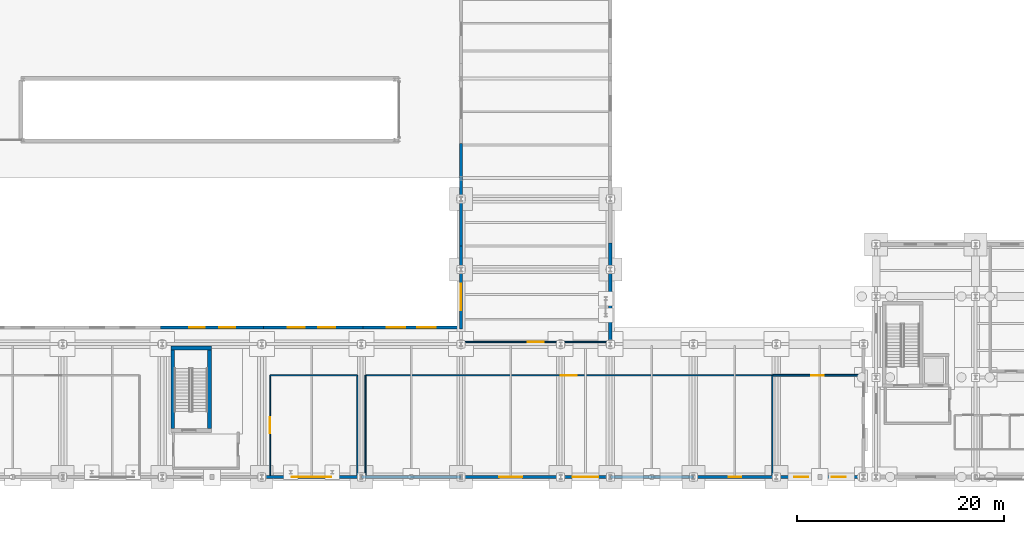
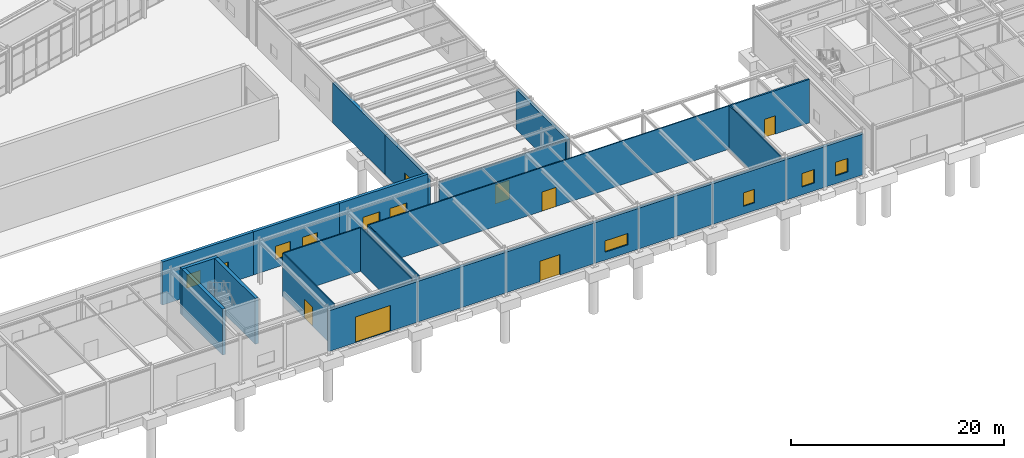
# One storey, part 87 of 109: 24 walls, 11 windows, 6 doors, 17 openings.
"""IFC4 building model written with IfcOpenShell, lengths in metres."""

from ifc_helpers import new_model, si_unit, direction, frame, frame_2d, origin, place, context, subcontext, project, spatial, rectangle, extrude, material, layer, layer_set, type_object, element, fill, save


model = new_model("IFC4")

# Units and contexts
model_context = context("Model", 3, precision=1e-05, world=origin(), true_north=direction((0.0, 1.0)))
body_context = subcontext(model_context, "Body", "Model", "MODEL_VIEW")
ifc_project = project(units=[si_unit("LENGTHUNIT", "METRE"), si_unit("AREAUNIT", "SQUARE_METRE"), si_unit("VOLUMEUNIT", "CUBIC_METRE"), si_unit("PLANEANGLEUNIT", "RADIAN"), si_unit("MASSUNIT", "GRAM", prefix="KILO")], contexts=[model_context])

# Site, building, storey
site_placement = place(None, origin())
site = spatial("IfcSite", under=ifc_project, at=site_placement, CompositionType="ELEMENT")
building_placement = place(site_placement, origin())
building = spatial("IfcBuilding", under=site, at=building_placement, Name="Nordkorset Police Headquarters", CompositionType="ELEMENT")
storey_placement = place(building_placement, origin())
storey = spatial("IfcBuildingStorey", under=building, at=storey_placement, Name="L00", CompositionType="ELEMENT", Elevation=0.0)

# Wall, opening, door
ifc_material_1 = material(Name="Gypsum board", Category="gypsum")
ifc_layer_1 = layer(ifc_material_1, 0.179931640625, Name="Gypsum board")
ifc_layer_set_1 = layer_set([ifc_layer_1], Name="Gypsum board")
wall_type_1 = type_object("IfcWallType", Name="Wall_Comp_180", PredefinedType="PARTITIONING", material=ifc_layer_set_1)
wall_1_placement = place(storey_placement, frame((125.044921875, 9.800048828125, 0.0), z_axis=(0.0, 0.0, 1.0), x_axis=(-1.0, 0.0, 0.0)))
wall_1 = element("IfcWall", 1, at=wall_1_placement, inside=storey, type_object=wall_type_1, Name="Interior Partition Wall Central Refuse and Secure Shredding Room", PredefinedType="PARTITIONING", context=body_context, shape_type="SweptSolid", body=[
    extrude(rectangle(XDim=8.58984375, YDim=0.179931640625, at=frame_2d((4.294921875, 0.0))), origin(), (0.0, 0.0, 1.0), 5.0),
])
opening_1_placement = place(wall_1_placement, frame((3.68505859375, 0.0, 0.0)))
opening_1 = element("IfcOpeningElement", 2, at=opening_1_placement, cuts=wall_1, Name="Opening DR-13", PredefinedType="OPENING", context=body_context, shape_type="SweptSolid", body=[
    extrude(rectangle(XDim=1.219970703125, YDim=2.10009765625, at=frame_2d((0.60986328125, 1.050048828125))), frame((0.0, 0.10009765625, 0.0), z_axis=(0.0, -1.0, 0.0), x_axis=(1.0, 0.0, 0.0)), (0.0, 0.0, 1.0), 0.199951171875),
])
ifc_material_2 = material(Name="Steel S355J2", Category="steel")
door_type_1 = type_object("IfcDoorType", Name="Door_FireComp_1220x2100", OperationType="NOTDEFINED", PredefinedType="DOOR", material=ifc_material_2)
door_1_placement = place(opening_1_placement, origin())
door_1 = element("IfcDoor", 3, at=door_1_placement, inside=storey, type_object=door_type_1, Name="Interior Door Central Refuse and Secure Shredding Room", OperationType="SINGLE_SWING_RIGHT", OverallHeight=2.10009765625, OverallWidth=1.219970703125, PredefinedType="DOOR", context=body_context, shape_type="SweptSolid", body=[
    extrude(rectangle(XDim=1.219970703125, YDim=2.10009765625, at=frame_2d((0.60986328125, 1.050048828125))), frame((0.0, 0.02490234375, 0.0), z_axis=(0.0, -1.0, 0.0), x_axis=(1.0, 0.0, 0.0)), (0.0, 0.0, 1.0), 0.050048828125),
])
fill(opening_1, door_1)

# Walls
ifc_material_3 = material(Name="Concrete C35/45", Category="concrete")
ifc_layer_2 = layer(ifc_material_3, 0.35009765625, Name="Concrete C35/45")
ifc_layer_set_2 = layer_set([ifc_layer_2], Name="Concrete C35/45")
wall_type_2 = type_object("IfcWallType", Name="Wall_CoreShear_350", PredefinedType="SHEAR", material=ifc_layer_set_2)
wall_2_placement = place(storey_placement, frame((58.425048828125, 12.429931640625, -0.27001953125), z_axis=(0.0, 0.0, 1.0), x_axis=(1.0, 0.0, 0.0)))
element("IfcWall", 4, at=wall_2_placement, inside=storey, type_object=wall_type_2, Name="Core K9 Stair Shaft North Shear Wall L00", PredefinedType="SHEAR", context=body_context, shape_type="SweptSolid", body=[
    extrude(rectangle(XDim=3.89990234375, YDim=0.35009765625, at=frame_2d((1.949951171875, 0.0))), origin(), (0.0, 0.0, 1.0), 5.27001953125),
])
for number, where, z_axis, x_axis, name in (
    (5, (58.60009765625, 4.655029296875, -0.27001953125), (0.0, 0.0, 1.0), (0.0, 1.0, 0.0), "Core K9 Stair Shaft West Shear Wall L00"),
    (6, (62.14990234375, 4.655029296875, -0.27001953125), (0.0, 0.0, 1.0), (0.0, 1.0, 0.0), "Core K9 Stair Shaft East Shear Wall L00"),
):
    element("IfcWall", number, at=place(storey_placement, frame(where, z_axis=z_axis, x_axis=x_axis)), inside=storey, type_object=wall_type_2, Name=name, PredefinedType="SHEAR", context=body_context, shape_type="SweptSolid", body=[
        extrude(rectangle(XDim=7.599853515625, YDim=0.35009765625, at=frame_2d((3.7998046875, 0.0))), origin(), (0.0, 0.0, 1.0), 5.27001953125),
    ])

# Wall, opening, door
ifc_material_4 = material(Name="Precast concrete C40/50", Category="concrete")
ifc_layer_3 = layer(ifc_material_4, 0.320068359375, Name="Precast concrete C40/50")
ifc_layer_set_3 = layer_set([ifc_layer_3], Name="Precast concrete C40/50")
wall_type_3 = type_object("IfcWallType", Name="Wall_ExtPlinth_320", PredefinedType="SOLIDWALL", material=ifc_layer_set_3)
wall_3_placement = place(storey_placement, frame((67.208740234375, 0.0, 0.0), z_axis=(0.0, 0.0, 1.0), x_axis=(1.0, 0.0, 0.0)))
wall_3 = element("IfcWall", 7, at=wall_3_placement, inside=storey, type_object=wall_type_3, Name="Exterior Insulated Precast Wall L00 V7S-VG05", PredefinedType="SOLIDWALL", context=body_context, shape_type="SweptSolid", body=[
    extrude(rectangle(XDim=9.58251953125, YDim=0.320068359375, at=frame_2d((4.791259765625, 0.0))), origin(), (0.0, 0.0, 1.0), 4.669921875),
])
opening_2_placement = place(wall_3_placement, frame((2.891357421875, 0.0, 0.0)))
opening_2 = element("IfcOpeningElement", 8, at=opening_2_placement, cuts=wall_3, Name="Opening VG-05", PredefinedType="OPENING", context=body_context, shape_type="SweptSolid", body=[
    extrude(rectangle(XDim=3.800048828125, YDim=2.949951171875, at=frame_2d((1.89990234375, 1.47509765625))), frame((0.0, 0.169921875, 0.0), z_axis=(0.0, -1.0, 0.0), x_axis=(1.0, 0.0, 0.0)), (0.0, 0.0, 1.0), 0.340087890625),
])
ifc_material_5 = material(Name="Steel S355J2", Category="steel")
door_type_2 = type_object("IfcDoorType", Name="Shutter_Loading_3800x2950", OperationType="ROLLINGUP", PredefinedType="USERDEFINED", material=ifc_material_5)
door_2_placement = place(opening_2_placement, frame((3.800048828125, 0.0, 0.0), z_axis=(0.0, 0.0, 1.0), x_axis=(-1.0, 0.0, 0.0)))
door_2 = element("IfcDoor", 9, at=door_2_placement, inside=storey, type_object=door_type_2, Name="Logistics Loading Bay Roller Shutter VG-05", ObjectType="ROLLER SHUTTER", OperationType="SINGLE_SWING_LEFT", OverallHeight=2.949951171875, OverallWidth=3.800048828125, PredefinedType="USERDEFINED", context=body_context, shape_type="SweptSolid", body=[
    extrude(rectangle(XDim=3.800048828125, YDim=2.949951171875, at=frame_2d((1.89990234375, 1.47509765625))), frame((0.0, 0.02490234375, 0.0), z_axis=(0.0, -1.0, 0.0), x_axis=(1.0, 0.0, 0.0)), (0.0, 0.0, 1.0), 0.050048828125),
])
fill(opening_2, door_2)

# Wall
wall_4_placement = place(storey_placement, frame((76.808837890625, 0.0, 0.0), z_axis=(0.0, 0.0, 1.0), x_axis=(1.0, 0.0, 0.0)))
element("IfcWall", 10, at=wall_4_placement, inside=storey, type_object=wall_type_3, Name="Exterior Insulated Precast Wall L00 V7S-8", PredefinedType="SOLIDWALL", context=body_context, shape_type="SweptSolid", body=[
    extrude(rectangle(XDim=9.58251953125, YDim=0.320068359375, at=frame_2d((4.791259765625, 0.0))), origin(), (0.0, 0.0, 1.0), 4.669921875),
])

# Wall, opening, door
wall_5_placement = place(storey_placement, frame((86.40869140625, 0.0, 0.0), z_axis=(0.0, 0.0, 1.0), x_axis=(1.0, 0.0, 0.0)))
wall_5 = element("IfcWall", 11, at=wall_5_placement, inside=storey, type_object=wall_type_3, Name="Exterior Insulated Precast Wall L00 V7S-ED12", PredefinedType="SOLIDWALL", context=body_context, shape_type="SweptSolid", body=[
    extrude(rectangle(XDim=9.58251953125, YDim=0.320068359375, at=frame_2d((4.791259765625, 0.0))), origin(), (0.0, 0.0, 1.0), 4.669921875),
])
opening_3_placement = place(wall_5_placement, frame((3.69140625, 0.0, 0.0)))
opening_3 = element("IfcOpeningElement", 12, at=opening_3_placement, cuts=wall_5, Name="Opening ED-12", PredefinedType="OPENING", context=body_context, shape_type="SweptSolid", body=[
    extrude(rectangle(XDim=2.199951171875, YDim=2.35009765625, at=frame_2d((1.10009765625, 1.175048828125))), frame((0.0, 0.169921875, 0.0), z_axis=(0.0, -1.0, 0.0), x_axis=(1.0, 0.0, 0.0)), (0.0, 0.0, 1.0), 0.340087890625),
])
ifc_material_6 = material(Name="Aluminium alloy AW-6060", Category="aluminium")
door_type_3 = type_object("IfcDoorType", Name="ExtDoor_CivicExit_2200x2350", OperationType="DOUBLE_DOOR_SINGLE_SWING", PredefinedType="DOOR", material=ifc_material_6)
door_3_placement = place(opening_3_placement, frame((2.199951171875, 0.0, 0.0), z_axis=(0.0, 0.0, 1.0), x_axis=(-1.0, 0.0, 0.0)))
door_3 = element("IfcDoor", 13, at=door_3_placement, inside=storey, type_object=door_type_3, Name="Logistics Plinth Central Final Exit Door ED-12", OperationType="SINGLE_SWING_LEFT", OverallHeight=2.35009765625, OverallWidth=2.199951171875, PredefinedType="DOOR", context=body_context, shape_type="SweptSolid", body=[
    extrude(rectangle(XDim=2.199951171875, YDim=2.35009765625, at=frame_2d((1.10009765625, 1.175048828125))), frame((0.0, 0.02490234375, 0.0), z_axis=(0.0, -1.0, 0.0), x_axis=(1.0, 0.0, 0.0)), (0.0, 0.0, 1.0), 0.050048828125),
])
fill(opening_3, door_3)

# Wall, opening, window
wall_6_placement = place(storey_placement, frame((96.0087890625, 0.0, 0.0), z_axis=(0.0, 0.0, 1.0), x_axis=(1.0, 0.0, 0.0)))
wall_6 = element("IfcWall", 14, at=wall_6_placement, inside=storey, type_object=wall_type_3, Name="Exterior Insulated Precast Wall L00 V7S-10", PredefinedType="SOLIDWALL", context=body_context, shape_type="SweptSolid", body=[
    extrude(rectangle(XDim=4.782470703125, YDim=0.320068359375, at=frame_2d((2.39111328125, 0.0))), origin(), (0.0, 0.0, 1.0), 4.669921875),
])
opening_4_placement = place(wall_6_placement, frame((1.166259765625, 0.0, 0.89990234375)))
opening_4 = element("IfcOpeningElement", 15, at=opening_4_placement, cuts=wall_6, Name="Opening WN-46", PredefinedType="OPENING", context=body_context, shape_type="SweptSolid", body=[
    extrude(rectangle(XDim=2.449951171875, YDim=1.300048828125, at=frame_2d((1.22509765625, 0.64990234375))), frame((0.0, 0.169921875, 0.0), z_axis=(0.0, -1.0, 0.0), x_axis=(1.0, 0.0, 0.0)), (0.0, 0.0, 1.0), 0.340087890625),
])
ifc_material_7 = material(Name="Low-iron triple glazing", Category="glass")
window_type_1 = type_object("IfcWindowType", Name="Win_2450x1300", PartitioningType="SINGLE_PANEL", PredefinedType="WINDOW", material=ifc_material_7)
window_1_placement = place(opening_4_placement, origin())
window_1 = element("IfcWindow", 16, at=window_1_placement, inside=storey, type_object=window_type_1, Name="Triple-Glazed Exterior Window L00 V7S-10-1", OverallHeight=1.300048828125, OverallWidth=2.449951171875, PartitioningType="SINGLE_PANEL", PredefinedType="WINDOW", context=body_context, shape_type="SweptSolid", body=[
    extrude(rectangle(XDim=2.449951171875, YDim=1.300048828125, at=frame_2d((1.22509765625, 0.64990234375))), frame((0.0, 0.030029296875, 0.0), z_axis=(0.0, -1.0, 0.0), x_axis=(1.0, 0.0, 0.0)), (0.0, 0.0, 1.0), 0.06005859375),
])
fill(opening_4, window_1)

# Wall
wall_7_placement = place(storey_placement, frame((100.808837890625, 0.0, 0.0), z_axis=(0.0, 0.0, 1.0), x_axis=(1.0, 0.0, 0.0)))
element("IfcWall", 17, at=wall_7_placement, inside=storey, type_object=wall_type_3, Name="Exterior Insulated Precast Wall L00 V7S-11", PredefinedType="SOLIDWALL", context=body_context, shape_type="SweptSolid", body=[
    extrude(rectangle(XDim=7.982421875, YDim=0.320068359375, at=frame_2d((3.9912109375, 0.0))), origin(), (0.0, 0.0, 1.0), 4.669921875),
])

# Wall, opening, window
wall_8_placement = place(storey_placement, frame((108.808837890625, 0.0, 0.0), z_axis=(0.0, 0.0, 1.0), x_axis=(1.0, 0.0, 0.0)))
wall_8 = element("IfcWall", 18, at=wall_8_placement, inside=storey, type_object=wall_type_3, Name="Exterior Insulated Precast Wall L00 V7S-12", PredefinedType="SOLIDWALL", context=body_context, shape_type="SweptSolid", body=[
    extrude(rectangle(XDim=7.982421875, YDim=0.320068359375, at=frame_2d((3.9912109375, 0.0))), origin(), (0.0, 0.0, 1.0), 4.669921875),
])
opening_5_placement = place(wall_8_placement, frame((3.391357421875, 0.0, 0.89990234375)))
opening_5 = element("IfcOpeningElement", 19, at=opening_5_placement, cuts=wall_8, Name="Opening WN-45", PredefinedType="OPENING", context=body_context, shape_type="SweptSolid", body=[
    extrude(rectangle(XDim=1.199951171875, YDim=1.550048828125, at=frame_2d((0.60009765625, 0.77490234375))), frame((0.0, 0.169921875, 0.0), z_axis=(0.0, -1.0, 0.0), x_axis=(1.0, 0.0, 0.0)), (0.0, 0.0, 1.0), 0.340087890625),
])
ifc_material_8 = material(Name="Low-iron triple glazing", Category="glass")
window_type_2 = type_object("IfcWindowType", Name="Win_1200x1550", PartitioningType="SINGLE_PANEL", PredefinedType="WINDOW", material=ifc_material_8)
window_2_placement = place(opening_5_placement, origin())
window_2 = element("IfcWindow", 20, at=window_2_placement, inside=storey, type_object=window_type_2, Name="Triple-Glazed Exterior Window L00 V7S-12-1", OverallHeight=1.550048828125, OverallWidth=1.199951171875, PartitioningType="SINGLE_PANEL", PredefinedType="WINDOW", context=body_context, shape_type="SweptSolid", body=[
    extrude(rectangle(XDim=1.199951171875, YDim=1.550048828125, at=frame_2d((0.60009765625, 0.77490234375))), frame((0.0, 0.030029296875, 0.0), z_axis=(0.0, -1.0, 0.0), x_axis=(1.0, 0.0, 0.0)), (0.0, 0.0, 1.0), 0.06005859375),
])
fill(opening_5, window_2)

# Wall, openings, windows
wall_9_placement = place(storey_placement, frame((116.808837890625, 0.0, 0.0), z_axis=(0.0, 0.0, 1.0), x_axis=(1.0, 0.0, 0.0)))
wall_9 = element("IfcWall", 21, at=wall_9_placement, inside=storey, type_object=wall_type_3, Name="Exterior Insulated Precast Wall L00 V7S-13", PredefinedType="SOLIDWALL", context=body_context, shape_type="SweptSolid", body=[
    extrude(rectangle(XDim=8.38232421875, YDim=0.320068359375, at=frame_2d((4.191162109375, 0.0))), origin(), (0.0, 0.0, 1.0), 4.669921875),
])
opening_6_placement = place(wall_9_placement, frame((1.69970703125, 0.0, 0.89990234375)))
opening_6 = element("IfcOpeningElement", 22, at=opening_6_placement, cuts=wall_9, Name="Opening WN-22", PredefinedType="OPENING", context=body_context, shape_type="SweptSolid", body=[
    extrude(rectangle(XDim=1.35009765625, YDim=1.550048828125, at=frame_2d((0.675048828125, 0.77490234375))), frame((0.0, 0.169921875, 0.0), z_axis=(0.0, -1.0, 0.0), x_axis=(1.0, 0.0, 0.0)), (0.0, 0.0, 1.0), 0.340087890625),
])
opening_7_placement = place(wall_9_placement, frame((5.3330078125, 0.0, 0.89990234375)))
opening_7 = element("IfcOpeningElement", 23, at=opening_7_placement, cuts=wall_9, Name="Opening WN-22", PredefinedType="OPENING", context=body_context, shape_type="SweptSolid", body=[
    extrude(rectangle(XDim=1.35009765625, YDim=1.550048828125, at=frame_2d((0.675048828125, 0.77490234375))), frame((0.0, 0.169921875, 0.0), z_axis=(0.0, -1.0, 0.0), x_axis=(1.0, 0.0, 0.0)), (0.0, 0.0, 1.0), 0.340087890625),
])
ifc_material_9 = material(Name="Low-iron triple glazing", Category="glass")
window_type_3 = type_object("IfcWindowType", Name="Win_1350x1550", PartitioningType="SINGLE_PANEL", PredefinedType="WINDOW", material=ifc_material_9)
window_3_placement = place(opening_6_placement, origin())
window_3 = element("IfcWindow", 24, at=window_3_placement, inside=storey, type_object=window_type_3, Name="Triple-Glazed Exterior Window L00 V7S-13-1", OverallHeight=1.550048828125, OverallWidth=1.35009765625, PartitioningType="SINGLE_PANEL", PredefinedType="WINDOW", context=body_context, shape_type="SweptSolid", body=[
    extrude(rectangle(XDim=1.35009765625, YDim=1.550048828125, at=frame_2d((0.675048828125, 0.77490234375))), frame((0.0, 0.030029296875, 0.0), z_axis=(0.0, -1.0, 0.0), x_axis=(1.0, 0.0, 0.0)), (0.0, 0.0, 1.0), 0.06005859375),
])
fill(opening_6, window_3)
window_4_placement = place(opening_7_placement, origin())
window_4 = element("IfcWindow", 25, at=window_4_placement, inside=storey, type_object=window_type_3, Name="Triple-Glazed Exterior Window L00 V7S-13-2", OverallHeight=1.550048828125, OverallWidth=1.35009765625, PartitioningType="SINGLE_PANEL", PredefinedType="WINDOW", context=body_context, shape_type="SweptSolid", body=[
    extrude(rectangle(XDim=1.35009765625, YDim=1.550048828125, at=frame_2d((0.675048828125, 0.77490234375))), frame((0.0, 0.030029296875, 0.0), z_axis=(0.0, -1.0, 0.0), x_axis=(1.0, 0.0, 0.0)), (0.0, 0.0, 1.0), 0.06005859375),
])
fill(opening_7, window_4)

# Wall, opening, window
wall_10_placement = place(storey_placement, frame((86.39990234375, 14.239990234375, 0.0), z_axis=(0.0, 0.0, 1.0), x_axis=(0.0, 1.0, 0.0)))
wall_10 = element("IfcWall", 26, at=wall_10_placement, inside=storey, type_object=wall_type_3, Name="Exterior Insulated Precast Wall L00 V7E-IN-0", PredefinedType="SOLIDWALL", context=body_context, shape_type="SweptSolid", body=[
    extrude(rectangle(XDim=8.320068359375, YDim=0.320068359375, at=frame_2d((4.16015625, 0.0))), origin(), (0.0, 0.0, 1.0), 4.590087890625),
])
opening_8_placement = place(wall_10_placement, frame((1.8349609375, 0.0, 0.89990234375)))
opening_8 = element("IfcOpeningElement", 27, at=opening_8_placement, cuts=wall_10, Name="Opening WN-06", PredefinedType="OPENING", context=body_context, shape_type="SweptSolid", body=[
    extrude(rectangle(XDim=2.550048828125, YDim=1.550048828125, at=frame_2d((1.27490234375, 0.77490234375))), frame((0.0, 0.169921875, 0.0), z_axis=(0.0, -1.0, 0.0), x_axis=(1.0, 0.0, 0.0)), (0.0, 0.0, 1.0), 0.340087890625),
])
ifc_material_10 = material(Name="Low-iron triple glazing", Category="glass")
window_type_4 = type_object("IfcWindowType", Name="Win_2550x1550", PartitioningType="SINGLE_PANEL", PredefinedType="WINDOW", material=ifc_material_10)
window_5_placement = place(opening_8_placement, origin())
window_5 = element("IfcWindow", 28, at=window_5_placement, inside=storey, type_object=window_type_4, Name="Triple-Glazed Exterior Window L00 V7E-IN-0-1", OverallHeight=1.550048828125, OverallWidth=2.550048828125, PartitioningType="SINGLE_PANEL", PredefinedType="WINDOW", context=body_context, shape_type="SweptSolid", body=[
    extrude(rectangle(XDim=2.550048828125, YDim=1.550048828125, at=frame_2d((1.27490234375, 0.77490234375))), frame((0.0, 0.030029296875, 0.0), z_axis=(0.0, -1.0, 0.0), x_axis=(1.0, 0.0, 0.0)), (0.0, 0.0, 1.0), 0.06005859375),
])
fill(opening_8, window_5)

# Wall
wall_11_placement = place(storey_placement, frame((86.39990234375, 22.239990234375, 0.0), z_axis=(0.0, 0.0, 1.0), x_axis=(0.0, 1.0, 0.0)))
element("IfcWall", 29, at=wall_11_placement, inside=storey, type_object=wall_type_3, Name="Exterior Insulated Precast Wall L00 V7E-IN-1", PredefinedType="SOLIDWALL", context=body_context, shape_type="SweptSolid", body=[
    extrude(rectangle(XDim=9.919921875, YDim=0.320068359375, at=frame_2d((4.9599609375, 0.0))), origin(), (0.0, 0.0, 1.0), 4.590087890625),
])

# Wall, openings, windows
wall_12_placement = place(storey_placement, frame((57.43994140625, 14.39990234375, 0.0), z_axis=(0.0, 0.0, 1.0), x_axis=(1.0, 0.0, 0.0)))
wall_12 = element("IfcWall", 30, at=wall_12_placement, inside=storey, type_object=wall_type_3, Name="Exterior Insulated Precast Wall L00 V7N-6", PredefinedType="SOLIDWALL", context=body_context, shape_type="SweptSolid", body=[
    extrude(rectangle(XDim=9.920166015625, YDim=0.320068359375, at=frame_2d((4.9599609375, 0.0))), origin(), (0.0, 0.0, 1.0), 4.949951171875),
])
opening_9_placement = place(wall_12_placement, frame((2.743408203125, 0.0, 0.89990234375)))
opening_9 = element("IfcOpeningElement", 31, at=opening_9_placement, cuts=wall_12, Name="Opening WN-50", PredefinedType="OPENING", context=body_context, shape_type="SweptSolid", body=[
    extrude(rectangle(XDim=1.5, YDim=1.550048828125, at=frame_2d((0.75, 0.77490234375))), frame((0.0, 0.169921875, 0.0), z_axis=(0.0, -1.0, 0.0), x_axis=(1.0, 0.0, 0.0)), (0.0, 0.0, 1.0), 0.340087890625),
])
opening_10_placement = place(wall_12_placement, frame((5.6767578125, 0.0, 0.89990234375)))
opening_10 = element("IfcOpeningElement", 32, at=opening_10_placement, cuts=wall_12, Name="Opening WN-50", PredefinedType="OPENING", context=body_context, shape_type="SweptSolid", body=[
    extrude(rectangle(XDim=1.5, YDim=1.550048828125, at=frame_2d((0.75, 0.77490234375))), frame((0.0, 0.169921875, 0.0), z_axis=(0.0, -1.0, 0.0), x_axis=(1.0, 0.0, 0.0)), (0.0, 0.0, 1.0), 0.340087890625),
])
ifc_material_11 = material(Name="Low-iron triple glazing", Category="glass")
window_type_5 = type_object("IfcWindowType", Name="Win_1500x1550", PartitioningType="SINGLE_PANEL", PredefinedType="WINDOW", material=ifc_material_11)
window_6_placement = place(opening_9_placement, origin())
window_6 = element("IfcWindow", 33, at=window_6_placement, inside=storey, type_object=window_type_5, Name="Triple-Glazed Exterior Window L00 V7N-6-1", OverallHeight=1.550048828125, OverallWidth=1.5, PartitioningType="SINGLE_PANEL", PredefinedType="WINDOW", context=body_context, shape_type="SweptSolid", body=[
    extrude(rectangle(XDim=1.5, YDim=1.550048828125, at=frame_2d((0.75, 0.77490234375))), frame((0.0, 0.030029296875, 0.0), z_axis=(0.0, -1.0, 0.0), x_axis=(1.0, 0.0, 0.0)), (0.0, 0.0, 1.0), 0.06005859375),
])
fill(opening_9, window_6)
window_7_placement = place(opening_10_placement, origin())
window_7 = element("IfcWindow", 34, at=window_7_placement, inside=storey, type_object=window_type_5, Name="Triple-Glazed Exterior Window L00 V7N-6-2", OverallHeight=1.550048828125, OverallWidth=1.5, PartitioningType="SINGLE_PANEL", PredefinedType="WINDOW", context=body_context, shape_type="SweptSolid", body=[
    extrude(rectangle(XDim=1.5, YDim=1.550048828125, at=frame_2d((0.75, 0.77490234375))), frame((0.0, 0.030029296875, 0.0), z_axis=(0.0, -1.0, 0.0), x_axis=(1.0, 0.0, 0.0)), (0.0, 0.0, 1.0), 0.06005859375),
])
fill(opening_10, window_7)

wall_13_placement = place(storey_placement, frame((67.0400390625, 14.39990234375, 0.0), z_axis=(0.0, 0.0, 1.0), x_axis=(1.0, 0.0, 0.0)))
wall_13 = element("IfcWall", 35, at=wall_13_placement, inside=storey, type_object=wall_type_3, Name="Exterior Insulated Precast Wall L00 V7N-7", PredefinedType="SOLIDWALL", context=body_context, shape_type="SweptSolid", body=[
    extrude(rectangle(XDim=9.919921875, YDim=0.320068359375, at=frame_2d((4.9599609375, 0.0))), origin(), (0.0, 0.0, 1.0), 4.949951171875),
])
opening_11_placement = place(wall_13_placement, frame((2.668212890625, 0.0, 0.89990234375)))
opening_11 = element("IfcOpeningElement", 36, at=opening_11_placement, cuts=wall_13, Name="Opening WN-43", PredefinedType="OPENING", context=body_context, shape_type="SweptSolid", body=[
    extrude(rectangle(XDim=1.64990234375, YDim=1.550048828125, at=frame_2d((0.824951171875, 0.77490234375))), frame((0.0, 0.169921875, 0.0), z_axis=(0.0, -1.0, 0.0), x_axis=(1.0, 0.0, 0.0)), (0.0, 0.0, 1.0), 0.340087890625),
])
opening_12_placement = place(wall_13_placement, frame((5.601806640625, 0.0, 0.89990234375)))
opening_12 = element("IfcOpeningElement", 37, at=opening_12_placement, cuts=wall_13, Name="Opening WN-43", PredefinedType="OPENING", context=body_context, shape_type="SweptSolid", body=[
    extrude(rectangle(XDim=1.64990234375, YDim=1.550048828125, at=frame_2d((0.824951171875, 0.77490234375))), frame((0.0, 0.169921875, 0.0), z_axis=(0.0, -1.0, 0.0), x_axis=(1.0, 0.0, 0.0)), (0.0, 0.0, 1.0), 0.340087890625),
])
ifc_material_12 = material(Name="Low-iron triple glazing", Category="glass")
window_type_6 = type_object("IfcWindowType", Name="Win_1650x1550", PartitioningType="SINGLE_PANEL", PredefinedType="WINDOW", material=ifc_material_12)
window_8_placement = place(opening_11_placement, origin())
window_8 = element("IfcWindow", 38, at=window_8_placement, inside=storey, type_object=window_type_6, Name="Triple-Glazed Exterior Window L00 V7N-7-1", OverallHeight=1.550048828125, OverallWidth=1.64990234375, PartitioningType="SINGLE_PANEL", PredefinedType="WINDOW", context=body_context, shape_type="SweptSolid", body=[
    extrude(rectangle(XDim=1.64990234375, YDim=1.550048828125, at=frame_2d((0.824951171875, 0.77490234375))), frame((0.0, 0.030029296875, 0.0), z_axis=(0.0, -1.0, 0.0), x_axis=(1.0, 0.0, 0.0)), (0.0, 0.0, 1.0), 0.06005859375),
])
fill(opening_11, window_8)
window_9_placement = place(opening_12_placement, origin())
window_9 = element("IfcWindow", 39, at=window_9_placement, inside=storey, type_object=window_type_6, Name="Triple-Glazed Exterior Window L00 V7N-7-2", OverallHeight=1.550048828125, OverallWidth=1.64990234375, PartitioningType="SINGLE_PANEL", PredefinedType="WINDOW", context=body_context, shape_type="SweptSolid", body=[
    extrude(rectangle(XDim=1.64990234375, YDim=1.550048828125, at=frame_2d((0.824951171875, 0.77490234375))), frame((0.0, 0.030029296875, 0.0), z_axis=(0.0, -1.0, 0.0), x_axis=(1.0, 0.0, 0.0)), (0.0, 0.0, 1.0), 0.06005859375),
])
fill(opening_12, window_9)

wall_14_placement = place(storey_placement, frame((76.639892578125, 14.39990234375, 0.0), z_axis=(0.0, 0.0, 1.0), x_axis=(1.0, 0.0, 0.0)))
wall_14 = element("IfcWall", 40, at=wall_14_placement, inside=storey, type_object=wall_type_3, Name="Exterior Insulated Precast Wall L00 V7N-8", PredefinedType="SOLIDWALL", context=body_context, shape_type="SweptSolid", body=[
    extrude(rectangle(XDim=9.60400390625, YDim=0.320068359375, at=frame_2d((4.802001953125, 0.0))), origin(), (0.0, 0.0, 1.0), 4.949951171875),
])
opening_13_placement = place(wall_14_placement, frame((2.59326171875, 0.0, 0.89990234375)))
opening_13 = element("IfcOpeningElement", 41, at=opening_13_placement, cuts=wall_14, Name="Opening WN-26", PredefinedType="OPENING", context=body_context, shape_type="SweptSolid", body=[
    extrude(rectangle(XDim=1.800048828125, YDim=1.550048828125, at=frame_2d((0.89990234375, 0.77490234375))), frame((0.0, 0.169921875, 0.0), z_axis=(0.0, -1.0, 0.0), x_axis=(1.0, 0.0, 0.0)), (0.0, 0.0, 1.0), 0.340087890625),
])
opening_14_placement = place(wall_14_placement, frame((5.526611328125, 0.0, 0.89990234375)))
opening_14 = element("IfcOpeningElement", 42, at=opening_14_placement, cuts=wall_14, Name="Opening WN-26", PredefinedType="OPENING", context=body_context, shape_type="SweptSolid", body=[
    extrude(rectangle(XDim=1.800048828125, YDim=1.550048828125, at=frame_2d((0.89990234375, 0.77490234375))), frame((0.0, 0.169921875, 0.0), z_axis=(0.0, -1.0, 0.0), x_axis=(1.0, 0.0, 0.0)), (0.0, 0.0, 1.0), 0.340087890625),
])
ifc_material_13 = material(Name="Low-iron triple glazing", Category="glass")
window_type_7 = type_object("IfcWindowType", Name="Win_1800x1550", PartitioningType="SINGLE_PANEL", PredefinedType="WINDOW", material=ifc_material_13)
window_10_placement = place(opening_13_placement, origin())
window_10 = element("IfcWindow", 43, at=window_10_placement, inside=storey, type_object=window_type_7, Name="Triple-Glazed Exterior Window L00 V7N-8-1", OverallHeight=1.550048828125, OverallWidth=1.800048828125, PartitioningType="SINGLE_PANEL", PredefinedType="WINDOW", context=body_context, shape_type="SweptSolid", body=[
    extrude(rectangle(XDim=1.800048828125, YDim=1.550048828125, at=frame_2d((0.89990234375, 0.77490234375))), frame((0.0, 0.030029296875, 0.0), z_axis=(0.0, -1.0, 0.0), x_axis=(1.0, 0.0, 0.0)), (0.0, 0.0, 1.0), 0.06005859375),
])
fill(opening_13, window_10)
window_11_placement = place(opening_14_placement, origin())
window_11 = element("IfcWindow", 44, at=window_11_placement, inside=storey, type_object=window_type_7, Name="Triple-Glazed Exterior Window L00 V7N-8-2", OverallHeight=1.550048828125, OverallWidth=1.800048828125, PartitioningType="SINGLE_PANEL", PredefinedType="WINDOW", context=body_context, shape_type="SweptSolid", body=[
    extrude(rectangle(XDim=1.800048828125, YDim=1.550048828125, at=frame_2d((0.89990234375, 0.77490234375))), frame((0.0, 0.030029296875, 0.0), z_axis=(0.0, -1.0, 0.0), x_axis=(1.0, 0.0, 0.0)), (0.0, 0.0, 1.0), 0.06005859375),
])
fill(opening_14, window_11)

# Walls
wall_15_placement = place(storey_placement, frame((100.800048828125, 13.001953125, 0.0), z_axis=(0.0, 0.0, 1.0), x_axis=(0.0, 1.0, 0.0)))
element("IfcWall", 45, at=wall_15_placement, inside=storey, type_object=wall_type_3, Name="Exterior Insulated Precast Wall L00 V7E-OUT-0", PredefinedType="SOLIDWALL", context=body_context, shape_type="SweptSolid", body=[
    extrude(rectangle(XDim=9.55810546875, YDim=0.320068359375, at=frame_2d((4.779052734375, 0.0))), origin(), (0.0, 0.0, 1.0), 4.590087890625),
])
ifc_material_14 = material(Name="Gypsum board", Category="gypsum")
ifc_layer_4 = layer(ifc_material_14, 0.1201171875, Name="Gypsum board")
ifc_layer_set_4 = layer_set([ifc_layer_4], Name="Gypsum board")
wall_type_4 = type_object("IfcWallType", Name="Wall_Part_120", PredefinedType="PARTITIONING", material=ifc_layer_set_4)
wall_16_placement = place(storey_placement, frame((76.39990234375, 0.155029296875, 0.0), z_axis=(0.0, 0.0, 1.0), x_axis=(0.0, 1.0, 0.0)))
element("IfcWall", 46, at=wall_16_placement, inside=storey, type_object=wall_type_4, Name="Interior Partition Wall Vehicle Diagnostics Bay", PredefinedType="PARTITIONING", context=body_context, shape_type="SweptSolid", body=[
    extrude(rectangle(XDim=9.64501953125, YDim=0.1201171875, at=frame_2d((4.822509765625, 0.0))), origin(), (0.0, 0.0, 1.0), 5.0),
])
wall_17_placement = place(storey_placement, frame((76.39990234375, 9.800048828125, 0.0), z_axis=(0.0, 0.0, 1.0), x_axis=(-1.0, 0.0, 0.0)))
element("IfcWall", 47, at=wall_17_placement, inside=storey, type_object=wall_type_4, Name="Interior Partition Wall Vehicle Diagnostics Bay", PredefinedType="PARTITIONING", context=body_context, shape_type="SweptSolid", body=[
    extrude(rectangle(XDim=8.39990234375, YDim=0.1201171875, at=frame_2d((4.199951171875, 0.0))), origin(), (0.0, 0.0, 1.0), 5.0),
])

# Wall, opening, door
wall_18_placement = place(storey_placement, frame((68.0, 9.800048828125, 0.0), z_axis=(0.0, 0.0, 1.0), x_axis=(0.0, -1.0, 0.0)))
wall_18 = element("IfcWall", 48, at=wall_18_placement, inside=storey, type_object=wall_type_4, Name="Interior Partition Wall Vehicle Diagnostics Bay", PredefinedType="PARTITIONING", context=body_context, shape_type="SweptSolid", body=[
    extrude(rectangle(XDim=9.64501953125, YDim=0.1201171875, at=frame_2d((4.822509765625, 0.0))), origin(), (0.0, 0.0, 1.0), 5.0),
])
opening_15_placement = place(wall_18_placement, frame((4.052490234375, 0.0, 0.0)))
opening_15 = element("IfcOpeningElement", 49, at=opening_15_placement, cuts=wall_18, Name="Opening DR-03", PredefinedType="OPENING", context=body_context, shape_type="SweptSolid", body=[
    extrude(rectangle(XDim=1.5400390625, YDim=2.199951171875, at=frame_2d((0.77001953125, 1.10009765625))), frame((0.0, 0.070068359375, 0.0), z_axis=(0.0, -1.0, 0.0), x_axis=(1.0, 0.0, 0.0)), (0.0, 0.0, 1.0), 0.14013671875),
])
ifc_material_15 = material(Name="Steel S355J2", Category="steel")
door_type_4 = type_object("IfcDoorType", Name="Door_Workshop_1540x2200", OperationType="DOUBLE_DOOR_SINGLE_SWING", PredefinedType="DOOR", material=ifc_material_15)
door_4_placement = place(opening_15_placement, origin())
door_4 = element("IfcDoor", 50, at=door_4_placement, inside=storey, type_object=door_type_4, Name="Interior Door Vehicle Diagnostics Bay", OperationType="DOUBLE_DOOR_SINGLE_SWING", OverallHeight=2.199951171875, OverallWidth=1.5400390625, PredefinedType="DOOR", context=body_context, shape_type="SweptSolid", body=[
    extrude(rectangle(XDim=1.5400390625, YDim=2.199951171875, at=frame_2d((0.77001953125, 1.10009765625))), frame((0.0, 0.02490234375, 0.0), z_axis=(0.0, -1.0, 0.0), x_axis=(1.0, 0.0, 0.0)), (0.0, 0.0, 1.0), 0.050048828125),
])
fill(opening_15, door_4)

# Wall
wall_19_placement = place(storey_placement, frame((116.39990234375, 0.155029296875, 0.0), z_axis=(0.0, 0.0, 1.0), x_axis=(0.0, 1.0, 0.0)))
element("IfcWall", 51, at=wall_19_placement, inside=storey, type_object=wall_type_4, Name="Interior Partition Wall Logistics Loading Bay", PredefinedType="PARTITIONING", context=body_context, shape_type="SweptSolid", body=[
    extrude(rectangle(XDim=9.64501953125, YDim=0.1201171875, at=frame_2d((4.822509765625, 0.0))), origin(), (0.0, 0.0, 1.0), 5.0),
])

# Wall, opening, door
wall_20_placement = place(storey_placement, frame((116.39990234375, 9.800048828125, 0.0), z_axis=(0.0, 0.0, 1.0), x_axis=(-1.0, 0.0, 0.0)))
wall_20 = element("IfcWall", 52, at=wall_20_placement, inside=storey, type_object=wall_type_4, Name="Interior Partition Wall Logistics Loading Bay", PredefinedType="PARTITIONING", context=body_context, shape_type="SweptSolid", body=[
    extrude(rectangle(XDim=39.199951171875, YDim=0.1201171875, at=frame_2d((19.60009765625, 0.0))), origin(), (0.0, 0.0, 1.0), 5.0),
])
opening_16_placement = place(wall_20_placement, frame((18.830078125, 0.0, 0.0)))
opening_16 = element("IfcOpeningElement", 53, at=opening_16_placement, cuts=wall_20, Name="Opening DR-03", PredefinedType="OPENING", context=body_context, shape_type="SweptSolid", body=[
    extrude(rectangle(XDim=1.5400390625, YDim=2.199951171875, at=frame_2d((0.77001953125, 1.10009765625))), frame((0.0, 0.070068359375, 0.0), z_axis=(0.0, -1.0, 0.0), x_axis=(1.0, 0.0, 0.0)), (0.0, 0.0, 1.0), 0.14013671875),
])
door_5_placement = place(opening_16_placement, frame((1.5400390625, 0.0, 0.0), z_axis=(0.0, 0.0, 1.0), x_axis=(-1.0, 0.0, 0.0)))
door_5 = element("IfcDoor", 54, at=door_5_placement, inside=storey, type_object=door_type_4, Name="Interior Door Logistics Loading Bay", OperationType="DOUBLE_DOOR_SINGLE_SWING", OverallHeight=2.199951171875, OverallWidth=1.5400390625, PredefinedType="DOOR", context=body_context, shape_type="SweptSolid", body=[
    extrude(rectangle(XDim=1.5400390625, YDim=2.199951171875, at=frame_2d((0.77001953125, 1.10009765625))), frame((0.0, 0.02490234375, 0.0), z_axis=(0.0, -1.0, 0.0), x_axis=(1.0, 0.0, 0.0)), (0.0, 0.0, 1.0), 0.050048828125),
])
fill(opening_16, door_5)

# Wall
wall_21_placement = place(storey_placement, frame((77.199951171875, 9.800048828125, 0.0), z_axis=(0.0, 0.0, 1.0), x_axis=(0.0, -1.0, 0.0)))
element("IfcWall", 55, at=wall_21_placement, inside=storey, type_object=wall_type_4, Name="Interior Partition Wall Logistics Loading Bay", PredefinedType="PARTITIONING", context=body_context, shape_type="SweptSolid", body=[
    extrude(rectangle(XDim=9.64501953125, YDim=0.1201171875, at=frame_2d((4.822509765625, 0.0))), origin(), (0.0, 0.0, 1.0), 5.0),
])

# Wall, opening, door
wall_22_placement = place(storey_placement, frame((86.75, 13.0, 0.0), z_axis=(0.0, 0.0, 1.0), x_axis=(1.0, 0.0, 0.0)))
wall_22 = element("IfcWall", 56, at=wall_22_placement, inside=storey, type_object=wall_type_4, Name="Interior Partition Wall Mobile Command Vehicle Bay", PredefinedType="PARTITIONING", context=body_context, shape_type="SweptSolid", body=[
    extrude(rectangle(XDim=13.699951171875, YDim=0.1201171875, at=frame_2d((6.85009765625, 0.0))), origin(), (0.0, 0.0, 1.0), 4.669921875),
])
opening_17_placement = place(wall_22_placement, frame((6.080078125, 0.0, 0.0)))
opening_17 = element("IfcOpeningElement", 57, at=opening_17_placement, cuts=wall_22, Name="Opening DR-03", PredefinedType="OPENING", context=body_context, shape_type="SweptSolid", body=[
    extrude(rectangle(XDim=1.5400390625, YDim=2.199951171875, at=frame_2d((0.77001953125, 1.10009765625))), frame((0.0, 0.070068359375, 0.0), z_axis=(0.0, -1.0, 0.0), x_axis=(1.0, 0.0, 0.0)), (0.0, 0.0, 1.0), 0.14013671875),
])
door_6_placement = place(opening_17_placement, frame((1.5400390625, 0.0, 0.0), z_axis=(0.0, 0.0, 1.0), x_axis=(-1.0, 0.0, 0.0)))
door_6 = element("IfcDoor", 58, at=door_6_placement, inside=storey, type_object=door_type_4, Name="Interior Door Mobile Command Vehicle Bay", OperationType="DOUBLE_DOOR_SINGLE_SWING", OverallHeight=2.199951171875, OverallWidth=1.5400390625, PredefinedType="DOOR", context=body_context, shape_type="SweptSolid", body=[
    extrude(rectangle(XDim=1.5400390625, YDim=2.199951171875, at=frame_2d((0.77001953125, 1.10009765625))), frame((0.0, 0.02490234375, 0.0), z_axis=(0.0, -1.0, 0.0), x_axis=(1.0, 0.0, 0.0)), (0.0, 0.0, 1.0), 0.050048828125),
])
fill(opening_17, door_6)

save(model, "model.ifc")
